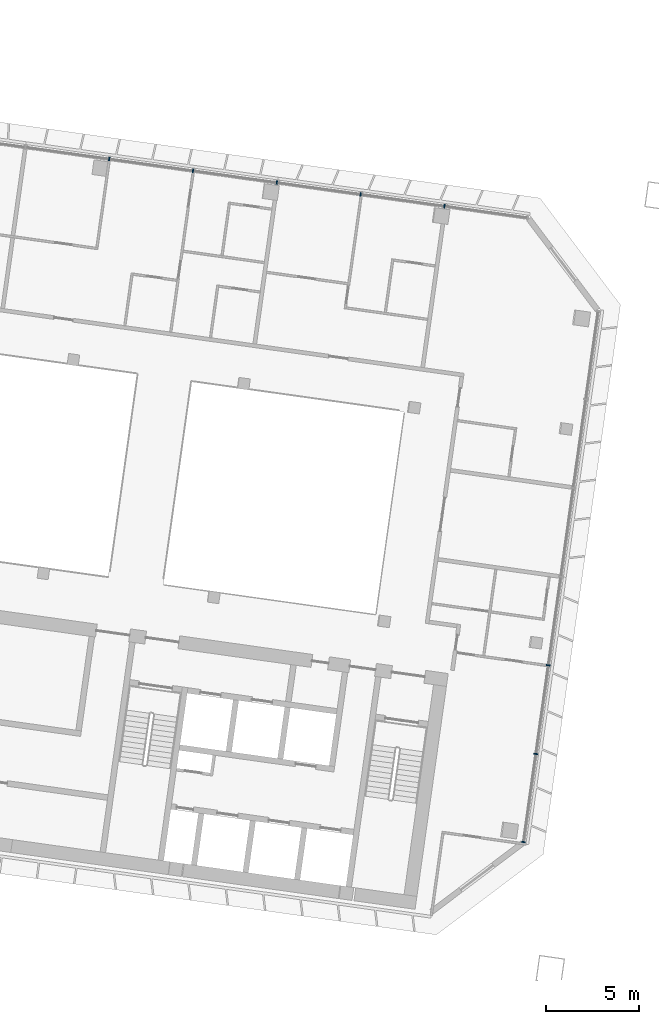
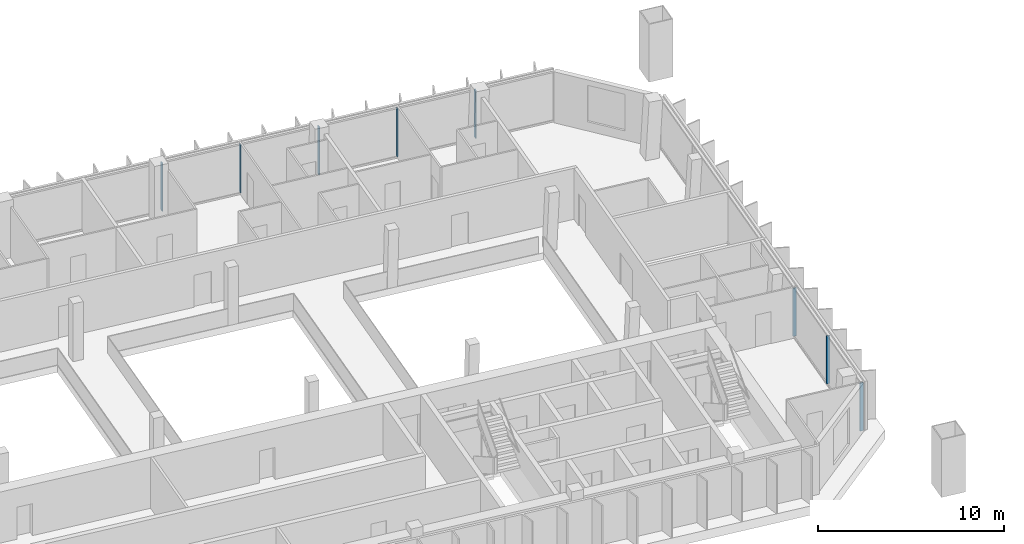
# One storey, part 6 of 32: 8 members, 2 elements without a shape of their own.
"""IFC4 building model written with IfcOpenShell, lengths in metres."""

from ifc_helpers import new_model, si_unit, direction, frame, origin, origin_2d, place, context, subcontext, project, spatial, rectangle, extrude, material, material_profile, profile_set, type_object, element, aggregate, save


model = new_model("IFC4")

# Units and contexts
model_context = context("Model", 3, precision=1e-05, world=origin(), true_north=direction((0.0, 1.0)))
body_context = subcontext(model_context, "Body", "Model", "MODEL_VIEW")
ifc_project = project(units=[si_unit("LENGTHUNIT", "METRE"), si_unit("AREAUNIT", "SQUARE_METRE"), si_unit("VOLUMEUNIT", "CUBIC_METRE"), si_unit("PLANEANGLEUNIT", "RADIAN"), si_unit("MASSUNIT", "GRAM", prefix="KILO")], contexts=[model_context])

# Site, building, storey
site_placement = place(None, origin())
site = spatial("IfcSite", under=ifc_project, at=site_placement, CompositionType="ELEMENT")
building_placement = place(site_placement, origin())
building = spatial("IfcBuilding", under=site, at=building_placement, Name="Mirante Cascada Hotel Towers", CompositionType="ELEMENT")
storey_placement = place(building_placement, frame((0.0, 0.0, 176.4)))
storey = spatial("IfcBuildingStorey", under=building, at=storey_placement, Name="L41", CompositionType="ELEMENT", Elevation=176.4)

# Curtain wall, members
ifc_material_1 = material(Name="Aluminium mullion and transom frame with clear laminated glass", Category="aluminium")
curtain_wall_type_1 = type_object("IfcCurtainWallType", Name="Ribbon curtain wall ECW1", PredefinedType="NOTDEFINED", material=ifc_material_1)
curtain_wall_1_placement = place(storey_placement, origin())
curtain_wall_1 = element("IfcCurtainWall", 1, at=curtain_wall_1_placement, inside=storey, type_object=curtain_wall_type_1, Name="Front ribbon wall T1 L41", PredefinedType="NOTDEFINED")
ifc_material_2 = material(Name="Anodised aluminium extrusion", Category="aluminium")
ifc_material_profile_1 = material_profile(ifc_material_2, rectangle(XDim=0.2, YDim=0.065, at=origin_2d()), Name="ECW1 MULLION 65x200")
ifc_profile_set_1 = profile_set([ifc_material_profile_1], Name="Anodised aluminium extrusion")
member_type_1 = type_object("IfcMemberType", Name="ECW1 mullion 65x200", PredefinedType="MULLION", material=ifc_profile_set_1)
member_1_placement = place(storey_placement, frame((-53.7138, 20.368, 0.1), z_axis=(0.0, 0.0, 1.0), x_axis=(0.1391731, 0.9902681, 0.0)))
member_1 = element("IfcMember", 2, at=member_1_placement, type_object=member_type_1, Name="ECW1 mullion 8", PredefinedType="MULLION", context=body_context, shape_type="SweptSolid", body=[
    extrude(rectangle(XDim=0.2, YDim=0.065, at=origin_2d()), origin(), (0.0, 0.0, 1.0), 3.15),
])
member_2_placement = place(storey_placement, frame((-49.2093, 19.7349, 0.1), z_axis=(0.0, 0.0, 1.0), x_axis=(0.1391731, 0.9902681, 0.0)))
member_2 = element("IfcMember", 3, at=member_2_placement, type_object=member_type_1, Name="ECW1 mullion 9", PredefinedType="MULLION", context=body_context, shape_type="SweptSolid", body=[
    extrude(rectangle(XDim=0.2, YDim=0.065, at=origin_2d()), origin(), (0.0, 0.0, 1.0), 3.15),
])
member_3_placement = place(storey_placement, frame((-44.7047, 19.1019, 0.1), z_axis=(0.0, 0.0, 1.0), x_axis=(0.1391731, 0.9902681, 0.0)))
member_3 = element("IfcMember", 4, at=member_3_placement, type_object=member_type_1, Name="ECW1 mullion 10", PredefinedType="MULLION", context=body_context, shape_type="SweptSolid", body=[
    extrude(rectangle(XDim=0.2, YDim=0.065, at=origin_2d()), origin(), (0.0, 0.0, 1.0), 3.15),
])
member_4_placement = place(storey_placement, frame((-40.2002, 18.4688, 0.1), z_axis=(0.0, 0.0, 1.0), x_axis=(0.1391731, 0.9902681, 0.0)))
member_4 = element("IfcMember", 5, at=member_4_placement, type_object=member_type_1, Name="ECW1 mullion 11", PredefinedType="MULLION", context=body_context, shape_type="SweptSolid", body=[
    extrude(rectangle(XDim=0.2, YDim=0.065, at=origin_2d()), origin(), (0.0, 0.0, 1.0), 3.15),
])
member_5_placement = place(storey_placement, frame((-35.6956, 17.8357, 0.1), z_axis=(0.0, 0.0, 1.0), x_axis=(0.1391731, 0.9902681, 0.0)))
member_5 = element("IfcMember", 6, at=member_5_placement, type_object=member_type_1, Name="ECW1 mullion 12", PredefinedType="MULLION", context=body_context, shape_type="SweptSolid", body=[
    extrude(rectangle(XDim=0.2, YDim=0.065, at=origin_2d()), origin(), (0.0, 0.0, 1.0), 3.15),
])
aggregate(curtain_wall_1, [member_1, member_2, member_3, member_4, member_5])

ifc_material_3 = material(Name="Aluminium mullion and transom frame with clear laminated glass", Category="aluminium")
curtain_wall_type_2 = type_object("IfcCurtainWallType", Name="End ribbon curtain wall ECW2", PredefinedType="NOTDEFINED", material=ifc_material_3)
curtain_wall_2_placement = place(storey_placement, origin())
curtain_wall_2 = element("IfcCurtainWall", 7, at=curtain_wall_2_placement, inside=storey, type_object=curtain_wall_type_2, Name="Inner end wall T1 L41", PredefinedType="NOTDEFINED")
ifc_material_4 = material(Name="Anodised aluminium extrusion", Category="aluminium")
ifc_material_profile_2 = material_profile(ifc_material_4, rectangle(XDim=0.2, YDim=0.065, at=origin_2d()), Name="ECW2 MULLION 65x200")
ifc_profile_set_2 = profile_set([ifc_material_profile_2], Name="Anodised aluminium extrusion")
member_type_2 = type_object("IfcMemberType", Name="ECW2 mullion 65x200", PredefinedType="MULLION", material=ifc_profile_set_2)
member_6_placement = place(storey_placement, frame((-30.1151, -6.8437, 0.1), z_axis=(0.0, 0.0, 1.0), x_axis=(0.9902681, -0.1391731, 0.0)))
member_6 = element("IfcMember", 8, at=member_6_placement, type_object=member_type_2, Name="ECW2 mullion 5", PredefinedType="MULLION", context=body_context, shape_type="SweptSolid", body=[
    extrude(rectangle(XDim=0.2, YDim=0.065, at=origin_2d()), origin(), (0.0, 0.0, 1.0), 3.15),
])
member_7_placement = place(storey_placement, frame((-30.7848, -11.6095, 0.1), z_axis=(0.0, 0.0, 1.0), x_axis=(0.9902681, -0.1391731, 0.0)))
member_7 = element("IfcMember", 9, at=member_7_placement, type_object=member_type_2, Name="ECW2 mullion 6", PredefinedType="MULLION", context=body_context, shape_type="SweptSolid", body=[
    extrude(rectangle(XDim=0.2, YDim=0.065, at=origin_2d()), origin(), (0.0, 0.0, 1.0), 3.15),
])
member_8_placement = place(storey_placement, frame((-31.4501, -16.3431, 0.1), z_axis=(0.0, 0.0, 1.0), x_axis=(0.9902681, -0.1391731, 0.0)))
member_8 = element("IfcMember", 10, at=member_8_placement, type_object=member_type_2, Name="ECW2 mullion 7", PredefinedType="MULLION", context=body_context, shape_type="SweptSolid", body=[
    extrude(rectangle(XDim=0.2, YDim=0.065, at=origin_2d()), origin(), (0.0, 0.0, 1.0), 3.15),
])
aggregate(curtain_wall_2, [member_6, member_7, member_8])

save(model, "model.ifc")
